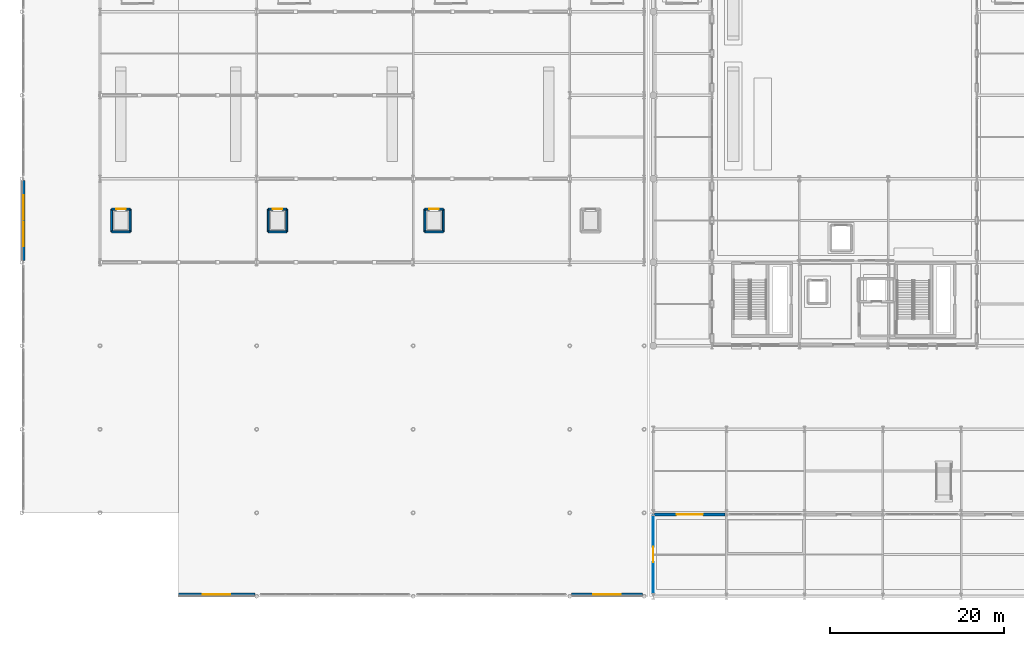
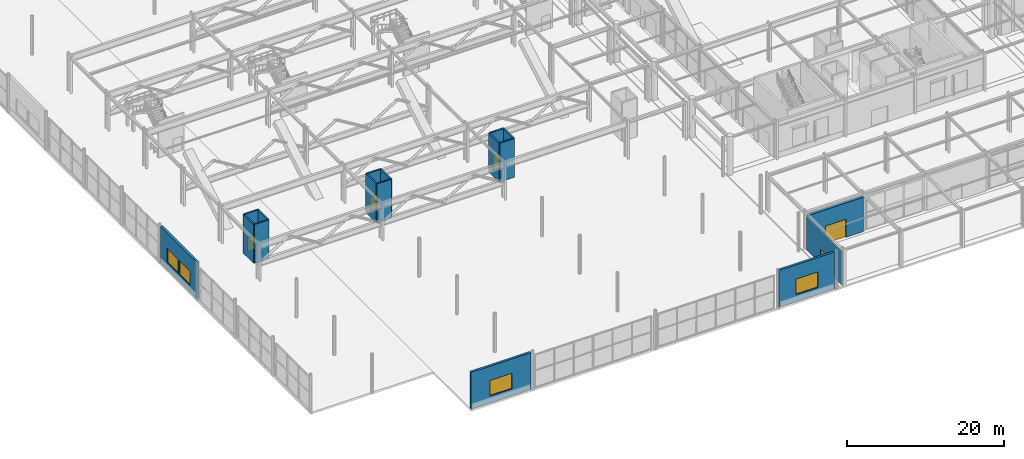
# One storey, part 58 of 113: 17 walls, 5 doors, 4 windows, 9 openings.
"""IFC4 building model written with IfcOpenShell, lengths in metres."""

from ifc_helpers import new_model, si_unit, direction, frame, frame_2d, origin, place, context, subcontext, project, spatial, rectangle, extrude, material, layer, layer_set, type_object, element, fill, save


model = new_model("IFC4")

# Units and contexts
model_context = context("Model", 3, precision=1e-05, world=origin(), true_north=direction((0.0, 1.0)))
body_context = subcontext(model_context, "Body", "Model", "MODEL_VIEW")
ifc_project = project(units=[si_unit("LENGTHUNIT", "METRE"), si_unit("AREAUNIT", "SQUARE_METRE"), si_unit("VOLUMEUNIT", "CUBIC_METRE"), si_unit("PLANEANGLEUNIT", "RADIAN"), si_unit("MASSUNIT", "GRAM", prefix="KILO")], contexts=[model_context])

# Site, building, storey
site_placement = place(None, origin())
site = spatial("IfcSite", under=ifc_project, at=site_placement, CompositionType="ELEMENT")
building_placement = place(site_placement, origin())
building = spatial("IfcBuilding", under=site, at=building_placement, Name="Myrtia Square Station", CompositionType="ELEMENT")
storey_placement = place(building_placement, origin())
storey = spatial("IfcBuildingStorey", under=building, at=storey_placement, Name="L00", CompositionType="ELEMENT", Elevation=0.0)

# Wall, opening, door
ifc_material_1 = material(Name="Pentelic marble ashlar", Category="masonry")
ifc_layer_1 = layer(ifc_material_1, 0.3798828125, Name="Pentelic marble ashlar")
ifc_layer_set_1 = layer_set([ifc_layer_1], Name="Pentelic marble ashlar")
wall_type_1 = type_object("IfcWallType", Name="WL-EXT-ASHLAR-380", PredefinedType="SOLIDWALL", material=ifc_layer_set_1)
wall_1_placement = place(storey_placement, frame((72.7548828125, 9.39990234375, 0.0), z_axis=(0.0, 0.0, 1.0), x_axis=(1.0, 0.0, 0.0)))
wall_1 = element("IfcWall", 1, at=wall_1_placement, inside=storey, type_object=wall_type_1, Name="Exterior envelope wall EW-L00-0070", PredefinedType="SOLIDWALL", context=body_context, shape_type="SweptSolid", body=[
    extrude(rectangle(XDim=8.090087890625, YDim=0.3798828125, at=frame_2d((4.044921875, 0.0))), origin(), (0.0, 0.0, 1.0), 5.340087890625),
])
opening_1_placement = place(wall_1_placement, frame((2.544921875, 0.0, 0.0)))
opening_1 = element("IfcOpeningElement", 2, at=opening_1_placement, cuts=wall_1, Name="Opening ED-028", PredefinedType="OPENING", context=body_context, shape_type="SweptSolid", body=[
    extrude(rectangle(XDim=3.0, YDim=2.800048828125, at=frame_2d((1.5, 1.39990234375))), frame((0.0, 0.204833984375, 0.0), z_axis=(0.0, -1.0, 0.0), x_axis=(1.0, 0.0, 0.0)), (0.0, 0.0, 1.0), 0.409912109375),
])
ifc_material_2 = material(Name="Dark bronze anodised aluminium", Category="aluminium")
door_type_1 = type_object("IfcDoorType", Name="GT-SRV-3000x2800", OperationType="NOTDEFINED", PredefinedType="GATE", material=ifc_material_2)
door_1_placement = place(opening_1_placement, origin())
door_1 = element("IfcDoor", 3, at=door_1_placement, inside=storey, type_object=door_type_1, Name="Patio west service gate ED-028", OperationType="ROLLINGUP", OverallHeight=2.800048828125, OverallWidth=3.0, PredefinedType="GATE", context=body_context, shape_type="SweptSolid", body=[
    extrude(rectangle(XDim=3.0, YDim=2.800048828125, at=frame_2d((1.5, 1.39990234375))), frame((0.0, 0.02490234375, 0.0), z_axis=(0.0, -1.0, 0.0), x_axis=(1.0, 0.0, 0.0)), (0.0, 0.0, 1.0), 0.050048828125),
])
fill(opening_1, door_1)

# Wall, openings, windows
ifc_material_3 = material(Name="Precast concrete C40/50", Category="concrete")
ifc_layer_2 = layer(ifc_material_3, 0.320068359375, Name="Precast concrete C40/50")
ifc_layer_set_2 = layer_set([ifc_layer_2], Name="Precast concrete C40/50")
wall_type_2 = type_object("IfcWallType", Name="WL-EXT-RC-320", PredefinedType="SOLIDWALL", material=ifc_layer_set_2)
wall_2_placement = place(storey_placement, frame((0.199951171875, 38.60791015625, 0.0), z_axis=(0.0, 0.0, 1.0), x_axis=(0.0, 1.0, 0.0)))
wall_2 = element("IfcWall", 4, at=wall_2_placement, inside=storey, type_object=wall_type_2, Name="Exterior envelope wall EW-L00-0019", PredefinedType="SOLIDWALL", context=body_context, shape_type="SweptSolid", body=[
    extrude(rectangle(XDim=9.18408203125, YDim=0.320068359375, at=frame_2d((4.592041015625, 0.0))), origin(), (0.0, 0.0, 1.0), 5.719970703125),
])
opening_2_placement = place(wall_2_placement, frame((1.660888671875, 0.0, 1.10009765625)))
opening_2 = element("IfcOpeningElement", 5, at=opening_2_placement, cuts=wall_2, Name="Opening WN-013", PredefinedType="OPENING", context=body_context, shape_type="SweptSolid", body=[
    extrude(rectangle(XDim=2.800048828125, YDim=2.199951171875, at=frame_2d((1.39990234375, 1.10009765625))), frame((0.0, 0.175048828125, 0.0), z_axis=(0.0, -1.0, 0.0), x_axis=(1.0, 0.0, 0.0)), (0.0, 0.0, 1.0), 0.35009765625),
])
opening_3_placement = place(wall_2_placement, frame((4.722900390625, 0.0, 1.10009765625)))
opening_3 = element("IfcOpeningElement", 6, at=opening_3_placement, cuts=wall_2, Name="Opening WN-014", PredefinedType="OPENING", context=body_context, shape_type="SweptSolid", body=[
    extrude(rectangle(XDim=2.800048828125, YDim=2.199951171875, at=frame_2d((1.39990234375, 1.10009765625))), frame((0.0, 0.175048828125, 0.0), z_axis=(0.0, -1.0, 0.0), x_axis=(1.0, 0.0, 0.0)), (0.0, 0.0, 1.0), 0.35009765625),
])
ifc_material_4 = material(Name="Tinted low-E solar control glass", Category="glass")
window_type_1 = type_object("IfcWindowType", Name="WN-SHED-2800x2200", PartitioningType="SINGLE_PANEL", PredefinedType="WINDOW", material=ifc_material_4)
window_1_placement = place(opening_2_placement, origin())
window_1 = element("IfcWindow", 7, at=window_1_placement, inside=storey, type_object=window_type_1, Name="Window WN-013", OverallHeight=2.199951171875, OverallWidth=2.800048828125, PartitioningType="SINGLE_PANEL", PredefinedType="WINDOW", context=body_context, shape_type="SweptSolid", body=[
    extrude(rectangle(XDim=2.800048828125, YDim=2.199951171875, at=frame_2d((1.39990234375, 1.10009765625))), frame((0.0, 0.030029296875, 0.0), z_axis=(0.0, -1.0, 0.0), x_axis=(1.0, 0.0, 0.0)), (0.0, 0.0, 1.0), 0.06005859375),
])
fill(opening_2, window_1)
window_2_placement = place(opening_3_placement, origin())
window_2 = element("IfcWindow", 8, at=window_2_placement, inside=storey, type_object=window_type_1, Name="Window WN-014", OverallHeight=2.199951171875, OverallWidth=2.800048828125, PartitioningType="SINGLE_PANEL", PredefinedType="WINDOW", context=body_context, shape_type="SweptSolid", body=[
    extrude(rectangle(XDim=2.800048828125, YDim=2.199951171875, at=frame_2d((1.39990234375, 1.10009765625))), frame((0.0, 0.030029296875, 0.0), z_axis=(0.0, -1.0, 0.0), x_axis=(1.0, 0.0, 0.0)), (0.0, 0.0, 1.0), 0.06005859375),
])
fill(opening_3, window_2)

# Wall, opening, window
wall_3_placement = place(storey_placement, frame((18.0, 0.199951171875, 0.0), z_axis=(0.0, 0.0, 1.0), x_axis=(1.0, 0.0, 0.0)))
wall_3 = element("IfcWall", 9, at=wall_3_placement, inside=storey, type_object=wall_type_2, Name="Exterior envelope wall EW-L00-0021", PredefinedType="SOLIDWALL", context=body_context, shape_type="SweptSolid", body=[
    extrude(rectangle(XDim=8.7919921875, YDim=0.320068359375, at=frame_2d((4.39599609375, 0.0))), origin(), (0.0, 0.0, 1.0), 5.719970703125),
])
opening_4_placement = place(wall_3_placement, frame((2.7958984375, 0.0, 1.10009765625)))
opening_4 = element("IfcOpeningElement", 10, at=opening_4_placement, cuts=wall_3, Name="Opening WN-017", PredefinedType="OPENING", context=body_context, shape_type="SweptSolid", body=[
    extrude(rectangle(XDim=3.199951171875, YDim=2.39990234375, at=frame_2d((1.60009765625, 1.199951171875))), frame((0.0, 0.175048828125, 0.0), z_axis=(0.0, -1.0, 0.0), x_axis=(1.0, 0.0, 0.0)), (0.0, 0.0, 1.0), 0.35009765625),
])
window_type_2 = type_object("IfcWindowType", Name="WN-SHED-3200x2400", PartitioningType="SINGLE_PANEL", PredefinedType="WINDOW", material=ifc_material_4)
window_3_placement = place(opening_4_placement, origin())
window_3 = element("IfcWindow", 11, at=window_3_placement, inside=storey, type_object=window_type_2, Name="Window WN-017", OverallHeight=2.39990234375, OverallWidth=3.199951171875, PartitioningType="SINGLE_PANEL", PredefinedType="WINDOW", context=body_context, shape_type="SweptSolid", body=[
    extrude(rectangle(XDim=3.199951171875, YDim=2.39990234375, at=frame_2d((1.60009765625, 1.199951171875))), frame((0.0, 0.030029296875, 0.0), z_axis=(0.0, -1.0, 0.0), x_axis=(1.0, 0.0, 0.0)), (0.0, 0.0, 1.0), 0.06005859375),
])
fill(opening_4, window_3)

wall_4_placement = place(storey_placement, frame((63.2080078125, 0.199951171875, 0.0), z_axis=(0.0, 0.0, 1.0), x_axis=(1.0, 0.0, 0.0)))
wall_4 = element("IfcWall", 12, at=wall_4_placement, inside=storey, type_object=wall_type_2, Name="Exterior envelope wall EW-L00-0023", PredefinedType="SOLIDWALL", context=body_context, shape_type="SweptSolid", body=[
    extrude(rectangle(XDim=8.134033203125, YDim=0.320068359375, at=frame_2d((4.06689453125, 0.0))), origin(), (0.0, 0.0, 1.0), 5.719970703125),
])
opening_5_placement = place(wall_4_placement, frame((2.467041015625, 0.0, 1.10009765625)))
opening_5 = element("IfcOpeningElement", 13, at=opening_5_placement, cuts=wall_4, Name="Opening WN-019", PredefinedType="OPENING", context=body_context, shape_type="SweptSolid", body=[
    extrude(rectangle(XDim=3.199951171875, YDim=2.39990234375, at=frame_2d((1.60009765625, 1.199951171875))), frame((0.0, 0.175048828125, 0.0), z_axis=(0.0, -1.0, 0.0), x_axis=(1.0, 0.0, 0.0)), (0.0, 0.0, 1.0), 0.35009765625),
])
window_4_placement = place(opening_5_placement, origin())
window_4 = element("IfcWindow", 14, at=window_4_placement, inside=storey, type_object=window_type_2, Name="Window WN-019", OverallHeight=2.39990234375, OverallWidth=3.199951171875, PartitioningType="SINGLE_PANEL", PredefinedType="WINDOW", context=body_context, shape_type="SweptSolid", body=[
    extrude(rectangle(XDim=3.199951171875, YDim=2.39990234375, at=frame_2d((1.60009765625, 1.199951171875))), frame((0.0, 0.030029296875, 0.0), z_axis=(0.0, -1.0, 0.0), x_axis=(1.0, 0.0, 0.0)), (0.0, 0.0, 1.0), 0.06005859375),
])
fill(opening_5, window_4)

# Wall
ifc_material_5 = material(Name="Concrete C35/45", Category="concrete")
ifc_layer_3 = layer(ifc_material_5, 0.219970703125, Name="Concrete C35/45")
ifc_layer_set_3 = layer_set([ifc_layer_3], Name="Concrete C35/45")
wall_type_3 = type_object("IfcWallType", Name="WL-LIFT-220", PredefinedType="SHEAR", material=ifc_layer_set_3)
wall_5_placement = place(storey_placement, frame((10.340087890625, 41.889892578125, 0.0), z_axis=(0.0, 0.0, 1.0), x_axis=(1.0, 0.0, 0.0)))
element("IfcWall", 15, at=wall_5_placement, inside=storey, type_object=wall_type_3, Name="Lift shaft wall PL-01 L00 -Y", PredefinedType="SHEAR", context=body_context, shape_type="SweptSolid", body=[
    extrude(rectangle(XDim=2.119873046875, YDim=0.219970703125, at=frame_2d((1.06005859375, 0.0))), origin(), (0.0, 0.0, 1.0), 6.0),
])

# Wall, opening, door
wall_6_placement = place(storey_placement, frame((10.340087890625, 44.510009765625, 0.0), z_axis=(0.0, 0.0, 1.0), x_axis=(1.0, 0.0, 0.0)))
wall_6 = element("IfcWall", 16, at=wall_6_placement, inside=storey, type_object=wall_type_3, Name="Lift shaft wall PL-01 L00 +Y", PredefinedType="SHEAR", context=body_context, shape_type="SweptSolid", body=[
    extrude(rectangle(XDim=2.119873046875, YDim=0.219970703125, at=frame_2d((1.06005859375, 0.0))), origin(), (0.0, 0.0, 1.0), 6.0),
])
opening_6_placement = place(wall_6_placement, frame((0.510009765625, 0.0, 0.0)))
opening_6 = element("IfcOpeningElement", 17, at=opening_6_placement, cuts=wall_6, Name="Opening LD-PL-01", PredefinedType="OPENING", context=body_context, shape_type="SweptSolid", body=[
    extrude(rectangle(XDim=1.10009765625, YDim=2.14990234375, at=frame_2d((0.550048828125, 1.074951171875))), frame((0.0, 0.125, 0.0), z_axis=(0.0, -1.0, 0.0), x_axis=(1.0, 0.0, 0.0)), (0.0, 0.0, 1.0), 0.25),
])
door_type_2 = type_object("IfcDoorType", Name="DR-LIFT-1100x2150", OperationType="NOTDEFINED", PredefinedType="DOOR", material=ifc_material_2)
door_2_placement = place(opening_6_placement, origin())
door_2 = element("IfcDoor", 18, at=door_2_placement, inside=storey, type_object=door_type_2, Name="Lift landing door PL-01 L00", OperationType="SLIDING_TO_LEFT", OverallHeight=2.14990234375, OverallWidth=1.10009765625, PredefinedType="DOOR", context=body_context, shape_type="SweptSolid", body=[
    extrude(rectangle(XDim=1.10009765625, YDim=2.14990234375, at=frame_2d((0.550048828125, 1.074951171875))), frame((0.0, 0.02490234375, 0.0), z_axis=(0.0, -1.0, 0.0), x_axis=(1.0, 0.0, 0.0)), (0.0, 0.0, 1.0), 0.050048828125),
])
fill(opening_6, door_2)

# Walls
for number, where, z_axis, x_axis, name in (
    (19, (10.340087890625, 41.889892578125, 0.0), (0.0, 0.0, 1.0), (0.0, 1.0, 0.0), "Lift shaft wall PL-01 L00 -X"),
    (20, (12.4599609375, 41.889892578125, 0.0), (0.0, 0.0, 1.0), (0.0, 1.0, 0.0), "Lift shaft wall PL-01 L00 +X"),
):
    element("IfcWall", number, at=place(storey_placement, frame(where, z_axis=z_axis, x_axis=x_axis)), inside=storey, type_object=wall_type_3, Name=name, PredefinedType="SHEAR", context=body_context, shape_type="SweptSolid", body=[
        extrude(rectangle(XDim=2.6201171875, YDim=0.219970703125, at=frame_2d((1.31005859375, 0.0))), origin(), (0.0, 0.0, 1.0), 6.0),
    ])
wall_7_placement = place(storey_placement, frame((28.340087890625, 41.889892578125, 0.0), z_axis=(0.0, 0.0, 1.0), x_axis=(1.0, 0.0, 0.0)))
element("IfcWall", 21, at=wall_7_placement, inside=storey, type_object=wall_type_3, Name="Lift shaft wall PL-02 L00 -Y", PredefinedType="SHEAR", context=body_context, shape_type="SweptSolid", body=[
    extrude(rectangle(XDim=2.119873046875, YDim=0.219970703125, at=frame_2d((1.06005859375, 0.0))), origin(), (0.0, 0.0, 1.0), 6.0),
])

# Wall, opening, door
wall_8_placement = place(storey_placement, frame((28.340087890625, 44.510009765625, 0.0), z_axis=(0.0, 0.0, 1.0), x_axis=(1.0, 0.0, 0.0)))
wall_8 = element("IfcWall", 22, at=wall_8_placement, inside=storey, type_object=wall_type_3, Name="Lift shaft wall PL-02 L00 +Y", PredefinedType="SHEAR", context=body_context, shape_type="SweptSolid", body=[
    extrude(rectangle(XDim=2.119873046875, YDim=0.219970703125, at=frame_2d((1.06005859375, 0.0))), origin(), (0.0, 0.0, 1.0), 6.0),
])
opening_7_placement = place(wall_8_placement, frame((0.510009765625, 0.0, 0.0)))
opening_7 = element("IfcOpeningElement", 23, at=opening_7_placement, cuts=wall_8, Name="Opening LD-PL-02", PredefinedType="OPENING", context=body_context, shape_type="SweptSolid", body=[
    extrude(rectangle(XDim=1.10009765625, YDim=2.14990234375, at=frame_2d((0.550048828125, 1.074951171875))), frame((0.0, 0.125, 0.0), z_axis=(0.0, -1.0, 0.0), x_axis=(1.0, 0.0, 0.0)), (0.0, 0.0, 1.0), 0.25),
])
door_3_placement = place(opening_7_placement, origin())
door_3 = element("IfcDoor", 24, at=door_3_placement, inside=storey, type_object=door_type_2, Name="Lift landing door PL-02 L00", OperationType="SLIDING_TO_LEFT", OverallHeight=2.14990234375, OverallWidth=1.10009765625, PredefinedType="DOOR", context=body_context, shape_type="SweptSolid", body=[
    extrude(rectangle(XDim=1.10009765625, YDim=2.14990234375, at=frame_2d((0.550048828125, 1.074951171875))), frame((0.0, 0.02490234375, 0.0), z_axis=(0.0, -1.0, 0.0), x_axis=(1.0, 0.0, 0.0)), (0.0, 0.0, 1.0), 0.050048828125),
])
fill(opening_7, door_3)

# Walls
for number, where, z_axis, x_axis, name in (
    (25, (28.340087890625, 41.889892578125, 0.0), (0.0, 0.0, 1.0), (0.0, 1.0, 0.0), "Lift shaft wall PL-02 L00 -X"),
    (26, (30.4599609375, 41.889892578125, 0.0), (0.0, 0.0, 1.0), (0.0, 1.0, 0.0), "Lift shaft wall PL-02 L00 +X"),
):
    element("IfcWall", number, at=place(storey_placement, frame(where, z_axis=z_axis, x_axis=x_axis)), inside=storey, type_object=wall_type_3, Name=name, PredefinedType="SHEAR", context=body_context, shape_type="SweptSolid", body=[
        extrude(rectangle(XDim=2.6201171875, YDim=0.219970703125, at=frame_2d((1.31005859375, 0.0))), origin(), (0.0, 0.0, 1.0), 6.0),
    ])
wall_9_placement = place(storey_placement, frame((46.340087890625, 41.889892578125, 0.0), z_axis=(0.0, 0.0, 1.0), x_axis=(1.0, 0.0, 0.0)))
element("IfcWall", 27, at=wall_9_placement, inside=storey, type_object=wall_type_3, Name="Lift shaft wall PL-03 L00 -Y", PredefinedType="SHEAR", context=body_context, shape_type="SweptSolid", body=[
    extrude(rectangle(XDim=2.119873046875, YDim=0.219970703125, at=frame_2d((1.06005859375, 0.0))), origin(), (0.0, 0.0, 1.0), 6.0),
])

# Wall, opening, door
wall_10_placement = place(storey_placement, frame((46.340087890625, 44.510009765625, 0.0), z_axis=(0.0, 0.0, 1.0), x_axis=(1.0, 0.0, 0.0)))
wall_10 = element("IfcWall", 28, at=wall_10_placement, inside=storey, type_object=wall_type_3, Name="Lift shaft wall PL-03 L00 +Y", PredefinedType="SHEAR", context=body_context, shape_type="SweptSolid", body=[
    extrude(rectangle(XDim=2.119873046875, YDim=0.219970703125, at=frame_2d((1.06005859375, 0.0))), origin(), (0.0, 0.0, 1.0), 6.0),
])
opening_8_placement = place(wall_10_placement, frame((0.510009765625, 0.0, 0.0)))
opening_8 = element("IfcOpeningElement", 29, at=opening_8_placement, cuts=wall_10, Name="Opening LD-PL-03", PredefinedType="OPENING", context=body_context, shape_type="SweptSolid", body=[
    extrude(rectangle(XDim=1.10009765625, YDim=2.14990234375, at=frame_2d((0.550048828125, 1.074951171875))), frame((0.0, 0.125, 0.0), z_axis=(0.0, -1.0, 0.0), x_axis=(1.0, 0.0, 0.0)), (0.0, 0.0, 1.0), 0.25),
])
door_4_placement = place(opening_8_placement, origin())
door_4 = element("IfcDoor", 30, at=door_4_placement, inside=storey, type_object=door_type_2, Name="Lift landing door PL-03 L00", OperationType="SLIDING_TO_LEFT", OverallHeight=2.14990234375, OverallWidth=1.10009765625, PredefinedType="DOOR", context=body_context, shape_type="SweptSolid", body=[
    extrude(rectangle(XDim=1.10009765625, YDim=2.14990234375, at=frame_2d((0.550048828125, 1.074951171875))), frame((0.0, 0.02490234375, 0.0), z_axis=(0.0, -1.0, 0.0), x_axis=(1.0, 0.0, 0.0)), (0.0, 0.0, 1.0), 0.050048828125),
])
fill(opening_8, door_4)

# Walls
for number, where, z_axis, x_axis, name in (
    (31, (46.340087890625, 41.889892578125, 0.0), (0.0, 0.0, 1.0), (0.0, 1.0, 0.0), "Lift shaft wall PL-03 L00 -X"),
    (32, (48.4599609375, 41.889892578125, 0.0), (0.0, 0.0, 1.0), (0.0, 1.0, 0.0), "Lift shaft wall PL-03 L00 +X"),
):
    element("IfcWall", number, at=place(storey_placement, frame(where, z_axis=z_axis, x_axis=x_axis)), inside=storey, type_object=wall_type_3, Name=name, PredefinedType="SHEAR", context=body_context, shape_type="SweptSolid", body=[
        extrude(rectangle(XDim=2.6201171875, YDim=0.219970703125, at=frame_2d((1.31005859375, 0.0))), origin(), (0.0, 0.0, 1.0), 6.0),
    ])

# Wall, opening, door
ifc_material_6 = material(Name="Gypsum plasterboard")
ifc_layer_4 = layer(ifc_material_6, 0.10009765625, Name="Gypsum plasterboard")
ifc_layer_set_4 = layer_set([ifc_layer_4], Name="Gypsum plasterboard")
wall_type_4 = type_object("IfcWallType", Name="WL-PART-100", PredefinedType="PARTITIONING", material=ifc_layer_set_4)
wall_11_placement = place(storey_placement, frame((72.60009765625, 0.324951171875, 0.0), z_axis=(0.0, 0.0, 1.0), x_axis=(0.0, 1.0, 0.0)))
wall_11 = element("IfcWall", 33, at=wall_11_placement, inside=storey, type_object=wall_type_4, Name="Interior partition wall L00-08", PredefinedType="PARTITIONING", context=body_context, shape_type="SweptSolid", body=[
    extrude(rectangle(XDim=8.949951171875, YDim=0.10009765625, at=frame_2d((4.47509765625, 0.0))), origin(), (0.0, 0.0, 1.0), 5.18994140625),
])
opening_9_placement = place(wall_11_placement, frame((3.574951171875, 0.0, 0.0)))
opening_9 = element("IfcOpeningElement", 34, at=opening_9_placement, cuts=wall_11, Name="Opening D-219", PredefinedType="OPENING", context=body_context, shape_type="SweptSolid", body=[
    extrude(rectangle(XDim=1.800048828125, YDim=2.300048828125, at=frame_2d((0.89990234375, 1.14990234375))), frame((0.0, 0.06494140625, 0.0), z_axis=(0.0, -1.0, 0.0), x_axis=(1.0, 0.0, 0.0)), (0.0, 0.0, 1.0), 0.130126953125),
])
door_type_3 = type_object("IfcDoorType", Name="DR-CORR-1800x2300", OperationType="NOTDEFINED", PredefinedType="DOOR", material=ifc_material_2)
door_5_placement = place(opening_9_placement, origin())
door_5 = element("IfcDoor", 35, at=door_5_placement, inside=storey, type_object=door_type_3, Name="Citrus Patio Cafe and Espresso Bar door D-219", OperationType="DOUBLE_DOOR_SINGLE_SWING", OverallHeight=2.300048828125, OverallWidth=1.800048828125, PredefinedType="DOOR", context=body_context, shape_type="SweptSolid", body=[
    extrude(rectangle(XDim=1.800048828125, YDim=2.300048828125, at=frame_2d((0.89990234375, 1.14990234375))), frame((0.0, 0.02490234375, 0.0), z_axis=(0.0, -1.0, 0.0), x_axis=(1.0, 0.0, 0.0)), (0.0, 0.0, 1.0), 0.050048828125),
])
fill(opening_9, door_5)

save(model, "model.ifc")
